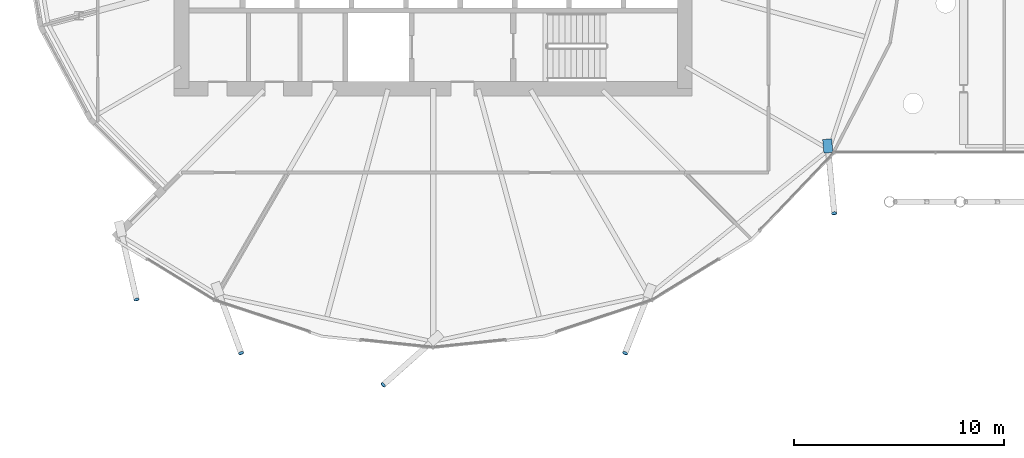
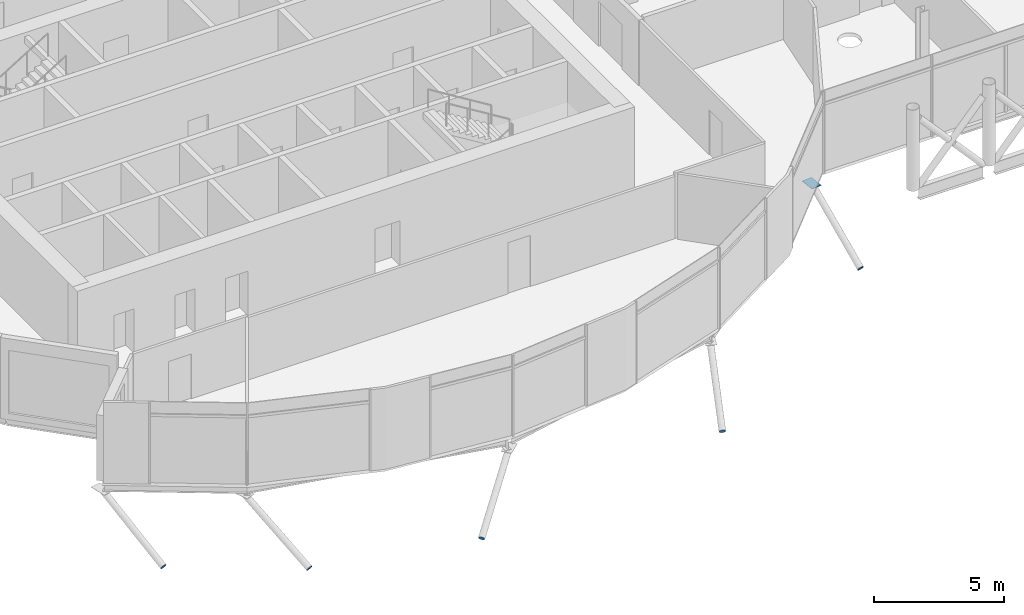
# One storey, part 30 of 39: 6 discrete accessories.
"""IFC4 building model written with IfcOpenShell, lengths in metres."""

from ifc_helpers import new_model, si_unit, direction, frame, origin, origin_2d, place, context, subcontext, project, spatial, polyline, rectangle, circle, outline, extrude, material, material_profile, profile_set, type_object, element, save


model = new_model("IFC4")

# Units and contexts
model_context = context("Model", 3, precision=1e-05, world=origin(), true_north=direction((0.0, 1.0)))
body_context = subcontext(model_context, "Body", "Model", "MODEL_VIEW")
ifc_project = project(units=[si_unit("LENGTHUNIT", "METRE"), si_unit("AREAUNIT", "SQUARE_METRE"), si_unit("VOLUMEUNIT", "CUBIC_METRE"), si_unit("PLANEANGLEUNIT", "RADIAN"), si_unit("MASSUNIT", "GRAM", prefix="KILO")], contexts=[model_context])

# Site, building, storey
site_placement = place(None, origin())
site = spatial("IfcSite", under=ifc_project, at=site_placement, CompositionType="ELEMENT")
building_placement = place(site_placement, origin())
building = spatial("IfcBuilding", under=site, at=building_placement, Name="Rimbun Link Towers", CompositionType="ELEMENT")
storey_placement = place(building_placement, frame((0.0, 0.0, 139.199951171875)))
storey = spatial("IfcBuildingStorey", under=building, at=storey_placement, Name="L33", CompositionType="ELEMENT", Elevation=139.199951171875)

# Discrete accessories
ifc_material_1 = material(Name="Steel S355J2H", Category="steel")
ifc_material_profile_1 = material_profile(ifc_material_1, circle(Radius=0.1240234375, at=origin_2d()), Name="PL D248")
ifc_profile_set_1 = profile_set([ifc_material_profile_1], Name="Steel S355J2H")
discrete_accessory_type_1 = type_object("IfcDiscreteAccessoryType", Name="Link foot sealing plate D248X20", PredefinedType="BRACKET", material=ifc_profile_set_1)
for number, where, z_axis, x_axis, name in (
    (1, (-45.89599609375, -18.055908203125, -2.5654296875), (0.195807487378, -0.856657757278, -0.477280750483), (0.974858506572, 0.222824801502, 0.0), "Link foot sealing plate T1 L33 15"),
    (2, (-40.90673828125, -20.6083984375, -2.836669921875), (0.294306882953, -0.79708114133, -0.527299831957), (0.938096474139, 0.346374082759, 0.0), "Link foot sealing plate T1 L33 16"),
):
    element("IfcDiscreteAccessory", number, at=place(storey_placement, frame(where, z_axis=z_axis, x_axis=x_axis)), inside=storey, type_object=discrete_accessory_type_1, Name=name, PredefinedType="BRACKET", context=body_context, shape_type="SweptSolid", body=[
        extrude(circle(Radius=0.1240234375, at=origin_2d()), origin(), (0.0, 0.0, 1.0), 0.02001953125),
    ])
for number, where, z_axis, x_axis, name in (
    (3, (-34.123779296875, -22.12548828125, -2.889892578125), (-0.640853015981, -0.566908437214, -0.51761205137), (0.662573882203, -0.74899656249, 0.0), "Link foot sealing plate T1 L33 18"),
    (4, (-22.586669921875, -20.613037109375, -2.833740234375), (-0.308430504249, -0.789582090877, -0.530500467308), (0.93145734948, -0.36385052714, 0.0), "Link foot sealing plate T1 L33 20"),
):
    element("IfcDiscreteAccessory", number, at=place(storey_placement, frame(where, z_axis=z_axis, x_axis=x_axis)), inside=storey, type_object=discrete_accessory_type_1, Name=name, PredefinedType="BRACKET", context=body_context, shape_type="SweptSolid", body=[
        extrude(circle(Radius=0.1240234375, at=origin_2d()), origin(), (0.0, 0.0, 1.0), 0.019775390625),
    ])
discrete_accessory_1_placement = place(storey_placement, frame((-12.617919921875, -13.940673828125, -2.729736328125), z_axis=(0.084956211157, -0.82528890838, -0.558283673316), x_axis=(0.99474329889, 0.102400045474, 0.0)))
element("IfcDiscreteAccessory", 5, at=discrete_accessory_1_placement, inside=storey, type_object=discrete_accessory_type_1, Name="Link foot sealing plate T1 L33 22", PredefinedType="BRACKET", context=body_context, shape_type="SweptSolid", body=[
    extrude(circle(Radius=0.1240234375, at=origin_2d()), origin(), (0.0, 0.0, 1.0), 0.02001953125),
])
ifc_material_2 = material(Name="Steel S355J2H", Category="steel")
ifc_material_profile_2 = material_profile(ifc_material_2, rectangle(XDim=0.43310546875, YDim=0.43310546875, at=origin_2d()), Name="PL 433x433")
ifc_profile_set_2 = profile_set([ifc_material_profile_2], Name="Steel S355J2H")
discrete_accessory_type_2 = type_object("IfcDiscreteAccessoryType", Name="Link head end plate 433X20", PredefinedType="BRACKET", material=ifc_profile_set_2)
discrete_accessory_2_placement = place(storey_placement, frame((0.0, 0.0, -0.6064453125)))
element("IfcDiscreteAccessory", 6, at=discrete_accessory_2_placement, inside=storey, type_object=discrete_accessory_type_2, Name="Link head end plate T1 L33 22", PredefinedType="BRACKET", context=body_context, shape_type="SweptSolid", body=[
    extrude(outline(polyline([(-13.169677734375, -10.429443359375), (-13.107421875, -11.08251953125), (-12.676513671875, -11.041259765625), (-12.738525390625, -10.388427734375), (-13.169677734375, -10.429443359375)])), origin(), (0.0, 0.0, 1.0), 0.02001953125),
])

save(model, "model.ifc")
